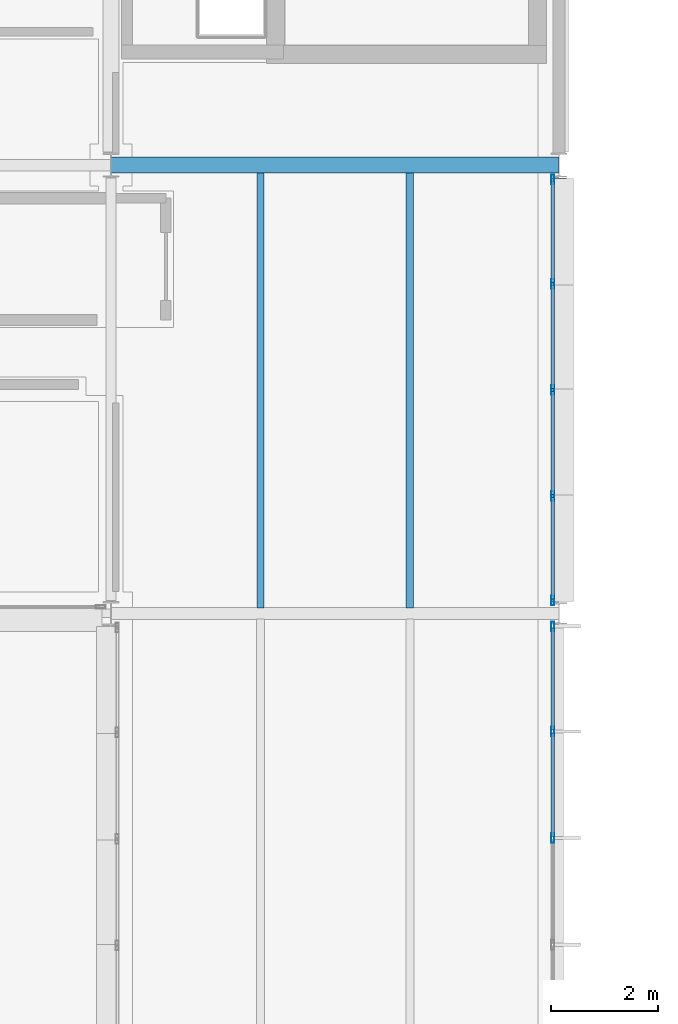
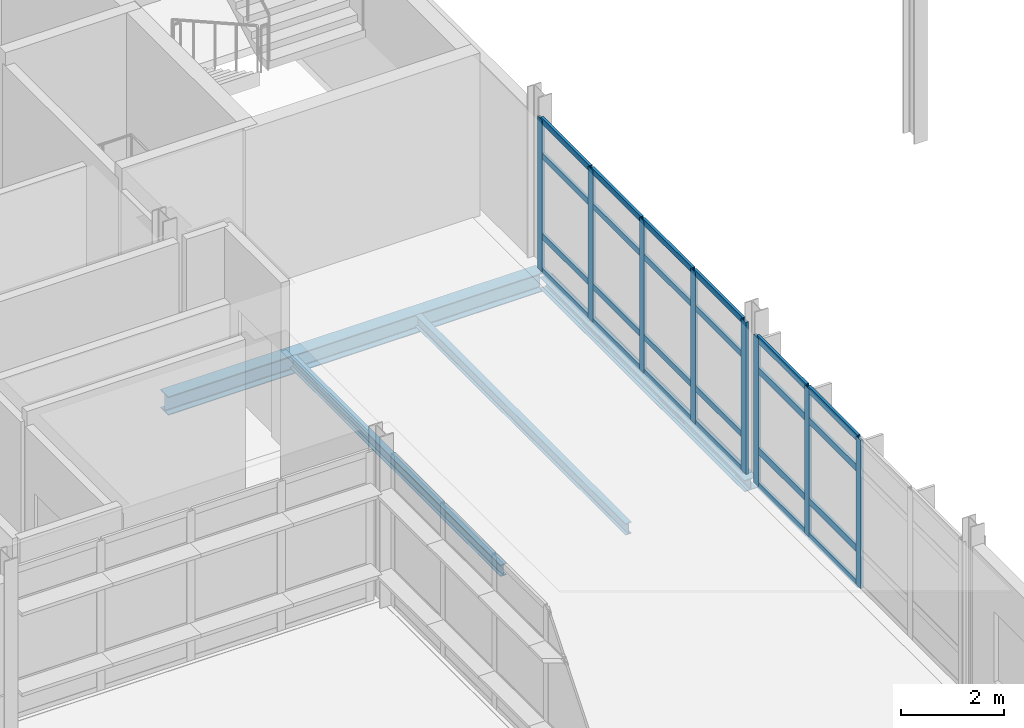
# One storey, part 72 of 103: 32 members, 4 beams, 2 elements without a shape of their own.
"""IFC4 building model written with IfcOpenShell, lengths in metres."""

from ifc_helpers import new_model, si_unit, direction, frame, origin, origin_2d, place, context, subcontext, project, spatial, hollow_rectangle, i_section, extrude, material, material_profile, profile_set, type_object, element, aggregate, save


model = new_model("IFC4")

# Units and contexts
model_context = context("Model", 3, precision=1e-05, world=origin(), true_north=direction((0.0, 1.0)))
body_context = subcontext(model_context, "Body", "Model", "MODEL_VIEW")
ifc_project = project(units=[si_unit("LENGTHUNIT", "METRE"), si_unit("AREAUNIT", "SQUARE_METRE"), si_unit("VOLUMEUNIT", "CUBIC_METRE"), si_unit("PLANEANGLEUNIT", "RADIAN"), si_unit("MASSUNIT", "GRAM", prefix="KILO")], contexts=[model_context])

# Site, building, storey
site_placement = place(None, origin())
site = spatial("IfcSite", under=ifc_project, at=site_placement, CompositionType="ELEMENT")
building_placement = place(site_placement, origin())
building = spatial("IfcBuilding", under=site, at=building_placement, Name="Mersafa Astral City Hall", CompositionType="ELEMENT")
storey_placement = place(building_placement, frame((0.0, 0.0, 18.0)))
storey = spatial("IfcBuildingStorey", under=building, at=storey_placement, Name="L04", CompositionType="ELEMENT", Elevation=18.0)

# Curtain wall, members
ifc_material_1 = material(Name="Anodised bronze aluminium framing", Category="aluminium")
curtain_wall_type_1 = type_object("IfcCurtainWallType", Name="ENV-CW-1", PredefinedType="USERDEFINED", material=ifc_material_1)
curtain_wall_1_placement = place(storey_placement, origin())
curtain_wall_1 = element("IfcCurtainWall", 1, at=curtain_wall_1_placement, inside=storey, type_object=curtain_wall_type_1, Name="L04 Unitised solar curtain wall 192", ObjectType="UNITISED CURTAIN WALL", PredefinedType="USERDEFINED")
ifc_material_profile_1 = material_profile(ifc_material_1, hollow_rectangle(XDim=0.06005859375, YDim=0.179931640625, WallThickness=0.00390625, at=origin_2d()), Name="RHS 60x180x4")
ifc_profile_set_1 = profile_set([ifc_material_profile_1], Name="Anodised bronze aluminium framing")
member_type_1 = type_object("IfcMemberType", Name="ENV-CW-MUL-1", PredefinedType="MULLION", material=ifc_profile_set_1)
member_1_placement = place(storey_placement, frame((176.280029296875, 96.590087890625, -0.001953125), z_axis=(0.0, 0.0, 1.0), x_axis=(-1.0, 0.0, 0.0)))
member_1 = element("IfcMember", 2, at=member_1_placement, type_object=member_type_1, Name="CW-1 mullion 3", PredefinedType="MULLION", context=body_context, shape_type="SweptSolid", body=[
    extrude(hollow_rectangle(XDim=0.06005859375, YDim=0.179931640625, WallThickness=0.00390625, at=origin_2d()), origin(), (0.0, 0.0, 1.0), 3.509033203125),
])
member_2_placement = place(storey_placement, frame((176.280029296875, 98.589111328125, -0.001953125), z_axis=(0.0, 0.0, 1.0), x_axis=(-1.0, 0.0, 0.0)))
member_2 = element("IfcMember", 3, at=member_2_placement, type_object=member_type_1, Name="CW-1 mullion 4", PredefinedType="MULLION", context=body_context, shape_type="SweptSolid", body=[
    extrude(hollow_rectangle(XDim=0.06005859375, YDim=0.179931640625, WallThickness=0.00390625, at=origin_2d()), origin(), (0.0, 0.0, 1.0), 3.509033203125),
])
member_3_placement = place(storey_placement, frame((176.280029296875, 100.55810546875, -0.001953125), z_axis=(0.0, 0.0, 1.0), x_axis=(-1.0, 0.0, 0.0)))
member_3 = element("IfcMember", 4, at=member_3_placement, type_object=member_type_1, Name="CW-1 mullion 5", PredefinedType="MULLION", context=body_context, shape_type="SweptSolid", body=[
    extrude(hollow_rectangle(XDim=0.06005859375, YDim=0.179931640625, WallThickness=0.00390625, at=origin_2d()), origin(), (0.0, 0.0, 1.0), 3.509033203125),
])

curtain_wall_type_2 = type_object("IfcCurtainWallType", Name="ENV-CW-2", PredefinedType="USERDEFINED", material=ifc_material_1)
curtain_wall_2_placement = place(storey_placement, origin())
curtain_wall_2 = element("IfcCurtainWall", 5, at=curtain_wall_2_placement, inside=storey, type_object=curtain_wall_type_2, Name="L04 Unitised solar curtain wall 193", ObjectType="UNITISED CURTAIN WALL", PredefinedType="USERDEFINED")
member_4_placement = place(storey_placement, frame((176.280029296875, 101.0419921875, -0.001953125), z_axis=(0.0, 0.0, 1.0), x_axis=(-1.0, 0.0, 0.0)))
member_4 = element("IfcMember", 6, at=member_4_placement, type_object=member_type_1, Name="CW-2 mullion 1", PredefinedType="MULLION", context=body_context, shape_type="SweptSolid", body=[
    extrude(hollow_rectangle(XDim=0.06005859375, YDim=0.179931640625, WallThickness=0.00390625, at=origin_2d()), origin(), (0.0, 0.0, 1.0), 3.598876953125),
])
member_5_placement = place(storey_placement, frame((176.280029296875, 102.999755859375, -0.001953125), z_axis=(0.0, 0.0, 1.0), x_axis=(-1.0, 0.0, 0.0)))
member_5 = element("IfcMember", 7, at=member_5_placement, type_object=member_type_1, Name="CW-2 mullion 2", PredefinedType="MULLION", context=body_context, shape_type="SweptSolid", body=[
    extrude(hollow_rectangle(XDim=0.06005859375, YDim=0.179931640625, WallThickness=0.00390625, at=origin_2d()), origin(), (0.0, 0.0, 1.0), 3.598876953125),
])
member_6_placement = place(storey_placement, frame((176.280029296875, 104.987548828125, -0.001953125), z_axis=(0.0, 0.0, 1.0), x_axis=(-1.0, 0.0, 0.0)))
member_6 = element("IfcMember", 8, at=member_6_placement, type_object=member_type_1, Name="CW-2 mullion 3", PredefinedType="MULLION", context=body_context, shape_type="SweptSolid", body=[
    extrude(hollow_rectangle(XDim=0.06005859375, YDim=0.179931640625, WallThickness=0.00390625, at=origin_2d()), origin(), (0.0, 0.0, 1.0), 3.598876953125),
])
member_7_placement = place(storey_placement, frame((176.280029296875, 106.975341796875, -0.001953125), z_axis=(0.0, 0.0, 1.0), x_axis=(-1.0, 0.0, 0.0)))
member_7 = element("IfcMember", 9, at=member_7_placement, type_object=member_type_1, Name="CW-2 mullion 4", PredefinedType="MULLION", context=body_context, shape_type="SweptSolid", body=[
    extrude(hollow_rectangle(XDim=0.06005859375, YDim=0.179931640625, WallThickness=0.00390625, at=origin_2d()), origin(), (0.0, 0.0, 1.0), 3.598876953125),
])
member_8_placement = place(storey_placement, frame((176.280029296875, 108.93310546875, -0.001953125), z_axis=(0.0, 0.0, 1.0), x_axis=(-1.0, 0.0, 0.0)))
member_8 = element("IfcMember", 10, at=member_8_placement, type_object=member_type_1, Name="CW-2 mullion 5", PredefinedType="MULLION", context=body_context, shape_type="SweptSolid", body=[
    extrude(hollow_rectangle(XDim=0.06005859375, YDim=0.179931640625, WallThickness=0.00390625, at=origin_2d()), origin(), (0.0, 0.0, 1.0), 3.598876953125),
])
ifc_material_profile_2 = material_profile(ifc_material_1, hollow_rectangle(XDim=0.06005859375, YDim=0.139892578125, WallThickness=0.00390625, at=origin_2d()), Name="RHS 60x140x4")
ifc_profile_set_2 = profile_set([ifc_material_profile_2], Name="Anodised bronze aluminium framing")
member_type_2 = type_object("IfcMemberType", Name="ENV-CW-TRN-1", PredefinedType="USERDEFINED", material=ifc_profile_set_2)
member_9_placement = place(storey_placement, frame((176.280029296875, 101.072021484375, 0.028076171875), z_axis=(0.0, 1.0, 0.0), x_axis=(-1.0, 0.0, 0.0)))
member_9 = element("IfcMember", 11, at=member_9_placement, type_object=member_type_2, Name="CW-2 transom 1.1", ObjectType="TRANSOM", PredefinedType="USERDEFINED", context=body_context, shape_type="SweptSolid", body=[
    extrude(hollow_rectangle(XDim=0.06005859375, YDim=0.139892578125, WallThickness=0.00390625, at=origin_2d()), origin(), (0.0, 0.0, 1.0), 1.897705078125),
])
member_10_placement = place(storey_placement, frame((176.280029296875, 101.072021484375, 0.85009765625), z_axis=(0.0, 1.0, 0.0), x_axis=(-1.0, 0.0, 0.0)))
member_10 = element("IfcMember", 12, at=member_10_placement, type_object=member_type_2, Name="CW-2 transom 1.2", ObjectType="TRANSOM", PredefinedType="USERDEFINED", context=body_context, shape_type="SweptSolid", body=[
    extrude(hollow_rectangle(XDim=0.06005859375, YDim=0.139892578125, WallThickness=0.00390625, at=origin_2d()), origin(), (0.0, 0.0, 1.0), 1.897705078125),
])
member_11_placement = place(storey_placement, frame((176.280029296875, 101.072021484375, 2.75), z_axis=(0.0, 1.0, 0.0), x_axis=(-1.0, 0.0, 0.0)))
member_11 = element("IfcMember", 13, at=member_11_placement, type_object=member_type_2, Name="CW-2 transom 1.3", ObjectType="TRANSOM", PredefinedType="USERDEFINED", context=body_context, shape_type="SweptSolid", body=[
    extrude(hollow_rectangle(XDim=0.06005859375, YDim=0.139892578125, WallThickness=0.00390625, at=origin_2d()), origin(), (0.0, 0.0, 1.0), 1.897705078125),
])
member_12_placement = place(storey_placement, frame((176.280029296875, 101.072021484375, 3.56689453125), z_axis=(0.0, 1.0, 0.0), x_axis=(-1.0, 0.0, 0.0)))
member_12 = element("IfcMember", 14, at=member_12_placement, type_object=member_type_2, Name="CW-2 transom 1.4", ObjectType="TRANSOM", PredefinedType="USERDEFINED", context=body_context, shape_type="SweptSolid", body=[
    extrude(hollow_rectangle(XDim=0.06005859375, YDim=0.139892578125, WallThickness=0.00390625, at=origin_2d()), origin(), (0.0, 0.0, 1.0), 1.897705078125),
])
member_13_placement = place(storey_placement, frame((176.280029296875, 103.02978515625, 0.028076171875), z_axis=(0.0, 1.0, 0.0), x_axis=(-1.0, 0.0, 0.0)))
member_13 = element("IfcMember", 15, at=member_13_placement, type_object=member_type_2, Name="CW-2 transom 2.1", ObjectType="TRANSOM", PredefinedType="USERDEFINED", context=body_context, shape_type="SweptSolid", body=[
    extrude(hollow_rectangle(XDim=0.06005859375, YDim=0.139892578125, WallThickness=0.00390625, at=origin_2d()), origin(), (0.0, 0.0, 1.0), 1.927734375),
])
member_14_placement = place(storey_placement, frame((176.280029296875, 103.02978515625, 0.85009765625), z_axis=(0.0, 1.0, 0.0), x_axis=(-1.0, 0.0, 0.0)))
member_14 = element("IfcMember", 16, at=member_14_placement, type_object=member_type_2, Name="CW-2 transom 2.2", ObjectType="TRANSOM", PredefinedType="USERDEFINED", context=body_context, shape_type="SweptSolid", body=[
    extrude(hollow_rectangle(XDim=0.06005859375, YDim=0.139892578125, WallThickness=0.00390625, at=origin_2d()), origin(), (0.0, 0.0, 1.0), 1.927734375),
])
member_15_placement = place(storey_placement, frame((176.280029296875, 103.02978515625, 2.75), z_axis=(0.0, 1.0, 0.0), x_axis=(-1.0, 0.0, 0.0)))
member_15 = element("IfcMember", 17, at=member_15_placement, type_object=member_type_2, Name="CW-2 transom 2.3", ObjectType="TRANSOM", PredefinedType="USERDEFINED", context=body_context, shape_type="SweptSolid", body=[
    extrude(hollow_rectangle(XDim=0.06005859375, YDim=0.139892578125, WallThickness=0.00390625, at=origin_2d()), origin(), (0.0, 0.0, 1.0), 1.927734375),
])
member_16_placement = place(storey_placement, frame((176.280029296875, 103.02978515625, 3.56689453125), z_axis=(0.0, 1.0, 0.0), x_axis=(-1.0, 0.0, 0.0)))
member_16 = element("IfcMember", 18, at=member_16_placement, type_object=member_type_2, Name="CW-2 transom 2.4", ObjectType="TRANSOM", PredefinedType="USERDEFINED", context=body_context, shape_type="SweptSolid", body=[
    extrude(hollow_rectangle(XDim=0.06005859375, YDim=0.139892578125, WallThickness=0.00390625, at=origin_2d()), origin(), (0.0, 0.0, 1.0), 1.927734375),
])
member_17_placement = place(storey_placement, frame((176.280029296875, 105.017578125, 0.028076171875), z_axis=(0.0, 1.0, 0.0), x_axis=(-1.0, 0.0, 0.0)))
member_17 = element("IfcMember", 19, at=member_17_placement, type_object=member_type_2, Name="CW-2 transom 3.1", ObjectType="TRANSOM", PredefinedType="USERDEFINED", context=body_context, shape_type="SweptSolid", body=[
    extrude(hollow_rectangle(XDim=0.06005859375, YDim=0.139892578125, WallThickness=0.00390625, at=origin_2d()), origin(), (0.0, 0.0, 1.0), 1.927734375),
])
member_18_placement = place(storey_placement, frame((176.280029296875, 105.017578125, 0.85009765625), z_axis=(0.0, 1.0, 0.0), x_axis=(-1.0, 0.0, 0.0)))
member_18 = element("IfcMember", 20, at=member_18_placement, type_object=member_type_2, Name="CW-2 transom 3.2", ObjectType="TRANSOM", PredefinedType="USERDEFINED", context=body_context, shape_type="SweptSolid", body=[
    extrude(hollow_rectangle(XDim=0.06005859375, YDim=0.139892578125, WallThickness=0.00390625, at=origin_2d()), origin(), (0.0, 0.0, 1.0), 1.927734375),
])
member_19_placement = place(storey_placement, frame((176.280029296875, 105.017578125, 2.75), z_axis=(0.0, 1.0, 0.0), x_axis=(-1.0, 0.0, 0.0)))
member_19 = element("IfcMember", 21, at=member_19_placement, type_object=member_type_2, Name="CW-2 transom 3.3", ObjectType="TRANSOM", PredefinedType="USERDEFINED", context=body_context, shape_type="SweptSolid", body=[
    extrude(hollow_rectangle(XDim=0.06005859375, YDim=0.139892578125, WallThickness=0.00390625, at=origin_2d()), origin(), (0.0, 0.0, 1.0), 1.927734375),
])
member_20_placement = place(storey_placement, frame((176.280029296875, 105.017578125, 3.56689453125), z_axis=(0.0, 1.0, 0.0), x_axis=(-1.0, 0.0, 0.0)))
member_20 = element("IfcMember", 22, at=member_20_placement, type_object=member_type_2, Name="CW-2 transom 3.4", ObjectType="TRANSOM", PredefinedType="USERDEFINED", context=body_context, shape_type="SweptSolid", body=[
    extrude(hollow_rectangle(XDim=0.06005859375, YDim=0.139892578125, WallThickness=0.00390625, at=origin_2d()), origin(), (0.0, 0.0, 1.0), 1.927734375),
])
member_21_placement = place(storey_placement, frame((176.280029296875, 107.00537109375, 0.028076171875), z_axis=(0.0, 1.0, 0.0), x_axis=(-1.0, 0.0, 0.0)))
member_21 = element("IfcMember", 23, at=member_21_placement, type_object=member_type_2, Name="CW-2 transom 4.1", ObjectType="TRANSOM", PredefinedType="USERDEFINED", context=body_context, shape_type="SweptSolid", body=[
    extrude(hollow_rectangle(XDim=0.06005859375, YDim=0.139892578125, WallThickness=0.00390625, at=origin_2d()), origin(), (0.0, 0.0, 1.0), 1.897705078125),
])
member_22_placement = place(storey_placement, frame((176.280029296875, 107.00537109375, 0.85009765625), z_axis=(0.0, 1.0, 0.0), x_axis=(-1.0, 0.0, 0.0)))
member_22 = element("IfcMember", 24, at=member_22_placement, type_object=member_type_2, Name="CW-2 transom 4.2", ObjectType="TRANSOM", PredefinedType="USERDEFINED", context=body_context, shape_type="SweptSolid", body=[
    extrude(hollow_rectangle(XDim=0.06005859375, YDim=0.139892578125, WallThickness=0.00390625, at=origin_2d()), origin(), (0.0, 0.0, 1.0), 1.897705078125),
])
member_23_placement = place(storey_placement, frame((176.280029296875, 107.00537109375, 2.75), z_axis=(0.0, 1.0, 0.0), x_axis=(-1.0, 0.0, 0.0)))
member_23 = element("IfcMember", 25, at=member_23_placement, type_object=member_type_2, Name="CW-2 transom 4.3", ObjectType="TRANSOM", PredefinedType="USERDEFINED", context=body_context, shape_type="SweptSolid", body=[
    extrude(hollow_rectangle(XDim=0.06005859375, YDim=0.139892578125, WallThickness=0.00390625, at=origin_2d()), origin(), (0.0, 0.0, 1.0), 1.897705078125),
])
member_24_placement = place(storey_placement, frame((176.280029296875, 107.00537109375, 3.56689453125), z_axis=(0.0, 1.0, 0.0), x_axis=(-1.0, 0.0, 0.0)))
member_24 = element("IfcMember", 26, at=member_24_placement, type_object=member_type_2, Name="CW-2 transom 4.4", ObjectType="TRANSOM", PredefinedType="USERDEFINED", context=body_context, shape_type="SweptSolid", body=[
    extrude(hollow_rectangle(XDim=0.06005859375, YDim=0.139892578125, WallThickness=0.00390625, at=origin_2d()), origin(), (0.0, 0.0, 1.0), 1.897705078125),
])
aggregate(curtain_wall_2, [member_4, member_5, member_6, member_7, member_8, member_9, member_10, member_11, member_12, member_13, member_14, member_15, member_16, member_17, member_18, member_19, member_20, member_21, member_22, member_23, member_24])

# Member
ifc_material_profile_3 = material_profile(ifc_material_1, hollow_rectangle(XDim=0.06005859375, YDim=0.159912109375, WallThickness=0.00390625, at=origin_2d()), Name="RHS 60x160x4")
ifc_profile_set_3 = profile_set([ifc_material_profile_3], Name="Anodised bronze aluminium framing")
member_type_3 = type_object("IfcMemberType", Name="ENV-CW-TRN-2", PredefinedType="USERDEFINED", material=ifc_profile_set_3)
member_25_placement = place(storey_placement, frame((176.280029296875, 96.6201171875, 0.028076171875), z_axis=(0.0, 1.0, 0.0), x_axis=(-1.0, 0.0, 0.0)))
member_25 = element("IfcMember", 27, at=member_25_placement, type_object=member_type_3, Name="CW-1 transom 3.1", ObjectType="TRANSOM", PredefinedType="USERDEFINED", context=body_context, shape_type="SweptSolid", body=[
    extrude(hollow_rectangle(XDim=0.06005859375, YDim=0.159912109375, WallThickness=0.00390625, at=origin_2d()), origin(), (0.0, 0.0, 1.0), 1.93896484375),
])

member_26_placement = place(storey_placement, frame((176.280029296875, 96.6201171875, 0.85009765625), z_axis=(0.0, 1.0, 0.0), x_axis=(-1.0, 0.0, 0.0)))
member_26 = element("IfcMember", 28, at=member_26_placement, type_object=member_type_3, Name="CW-1 transom 3.2", ObjectType="TRANSOM", PredefinedType="USERDEFINED", context=body_context, shape_type="SweptSolid", body=[
    extrude(hollow_rectangle(XDim=0.06005859375, YDim=0.159912109375, WallThickness=0.00390625, at=origin_2d()), origin(), (0.0, 0.0, 1.0), 1.93896484375),
])

member_27_placement = place(storey_placement, frame((176.280029296875, 96.6201171875, 2.75), z_axis=(0.0, 1.0, 0.0), x_axis=(-1.0, 0.0, 0.0)))
member_27 = element("IfcMember", 29, at=member_27_placement, type_object=member_type_3, Name="CW-1 transom 3.3", ObjectType="TRANSOM", PredefinedType="USERDEFINED", context=body_context, shape_type="SweptSolid", body=[
    extrude(hollow_rectangle(XDim=0.06005859375, YDim=0.159912109375, WallThickness=0.00390625, at=origin_2d()), origin(), (0.0, 0.0, 1.0), 1.93896484375),
])

member_28_placement = place(storey_placement, frame((176.280029296875, 96.6201171875, 3.47705078125), z_axis=(0.0, 1.0, 0.0), x_axis=(-1.0, 0.0, 0.0)))
member_28 = element("IfcMember", 30, at=member_28_placement, type_object=member_type_3, Name="CW-1 transom 3.4", ObjectType="TRANSOM", PredefinedType="USERDEFINED", context=body_context, shape_type="SweptSolid", body=[
    extrude(hollow_rectangle(XDim=0.06005859375, YDim=0.159912109375, WallThickness=0.00390625, at=origin_2d()), origin(), (0.0, 0.0, 1.0), 1.93896484375),
])

member_29_placement = place(storey_placement, frame((176.280029296875, 98.618896484375, 0.028076171875), z_axis=(0.0, 1.0, 0.0), x_axis=(-1.0, 0.0, 0.0)))
member_29 = element("IfcMember", 31, at=member_29_placement, type_object=member_type_3, Name="CW-1 transom 4.1", ObjectType="TRANSOM", PredefinedType="USERDEFINED", context=body_context, shape_type="SweptSolid", body=[
    extrude(hollow_rectangle(XDim=0.06005859375, YDim=0.159912109375, WallThickness=0.00390625, at=origin_2d()), origin(), (0.0, 0.0, 1.0), 1.9091796875),
])

member_30_placement = place(storey_placement, frame((176.280029296875, 98.618896484375, 0.85009765625), z_axis=(0.0, 1.0, 0.0), x_axis=(-1.0, 0.0, 0.0)))
member_30 = element("IfcMember", 32, at=member_30_placement, type_object=member_type_3, Name="CW-1 transom 4.2", ObjectType="TRANSOM", PredefinedType="USERDEFINED", context=body_context, shape_type="SweptSolid", body=[
    extrude(hollow_rectangle(XDim=0.06005859375, YDim=0.159912109375, WallThickness=0.00390625, at=origin_2d()), origin(), (0.0, 0.0, 1.0), 1.9091796875),
])

member_31_placement = place(storey_placement, frame((176.280029296875, 98.618896484375, 2.75), z_axis=(0.0, 1.0, 0.0), x_axis=(-1.0, 0.0, 0.0)))
member_31 = element("IfcMember", 33, at=member_31_placement, type_object=member_type_3, Name="CW-1 transom 4.3", ObjectType="TRANSOM", PredefinedType="USERDEFINED", context=body_context, shape_type="SweptSolid", body=[
    extrude(hollow_rectangle(XDim=0.06005859375, YDim=0.159912109375, WallThickness=0.00390625, at=origin_2d()), origin(), (0.0, 0.0, 1.0), 1.9091796875),
])

member_32_placement = place(storey_placement, frame((176.280029296875, 98.618896484375, 3.47705078125), z_axis=(0.0, 1.0, 0.0), x_axis=(-1.0, 0.0, 0.0)))
member_32 = element("IfcMember", 34, at=member_32_placement, type_object=member_type_3, Name="CW-1 transom 4.4", ObjectType="TRANSOM", PredefinedType="USERDEFINED", context=body_context, shape_type="SweptSolid", body=[
    extrude(hollow_rectangle(XDim=0.06005859375, YDim=0.159912109375, WallThickness=0.00390625, at=origin_2d()), origin(), (0.0, 0.0, 1.0), 1.9091796875),
])

aggregate(curtain_wall_1, [member_1, member_2, member_3, member_25, member_26, member_27, member_28, member_29, member_30, member_31, member_32])

# Beams
ifc_material_2 = material(Name="Steel S355", Category="steel")
ifc_material_profile_4 = material_profile(ifc_material_2, i_section(OverallWidth=0.300048828125, OverallDepth=0.43994140625, WebThickness=0.011474609375, FlangeThickness=0.02099609375, FilletRadius=0.027099609375, at=origin_2d()), Name="HEA 450")
ifc_profile_set_4 = profile_set([ifc_material_profile_4], Name="Steel S355")
beam_type_1 = type_object("IfcBeamType", Name="STR-BM-HEA450", PredefinedType="BEAM", material=ifc_profile_set_4)
beam_1_placement = place(storey_placement, frame((168.0029296875, 109.199951171875, -0.405029296875), z_axis=(1.0, 0.0, 0.0), x_axis=(0.0, 1.0, 0.0)))
element("IfcBeam", 35, at=beam_1_placement, inside=storey, type_object=beam_type_1, Name="L04 Primary girder X 20-13", PredefinedType="BEAM", context=body_context, shape_type="SweptSolid", body=[
    extrude(i_section(OverallWidth=0.300048828125, OverallDepth=0.43994140625, WebThickness=0.011474609375, FlangeThickness=0.02099609375, FilletRadius=0.027099609375, at=origin_2d()), origin(), (0.0, 0.0, 1.0), 8.39404296875),
])
ifc_material_profile_5 = material_profile(ifc_material_2, i_section(OverallWidth=0.135009765625, OverallDepth=0.27001953125, WebThickness=0.006591796875, FlangeThickness=0.01025390625, FilletRadius=0.014892578125, at=origin_2d()), Name="IPE 270")
ifc_profile_set_5 = profile_set([ifc_material_profile_5], Name="Steel S355")
beam_type_2 = type_object("IfcBeamType", Name="STR-BM-JOIST-IPE270", PredefinedType="JOIST", material=ifc_profile_set_5)
for number, where, z_axis, x_axis, name in (
    (36, (170.800048828125, 100.905029296875, -0.320068359375), (0.0, 1.0, 0.0), (-1.0, 0.0, 0.0), "L04 Composite secondary floor joist 783"),
    (37, (173.60009765625, 100.905029296875, -0.320068359375), (0.0, 1.0, 0.0), (-1.0, 0.0, 0.0), "L04 Composite secondary floor joist 784"),
):
    element("IfcBeam", number, at=place(storey_placement, frame(where, z_axis=z_axis, x_axis=x_axis)), inside=storey, type_object=beam_type_2, Name=name, PredefinedType="JOIST", context=body_context, shape_type="SweptSolid", body=[
        extrude(i_section(OverallWidth=0.135009765625, OverallDepth=0.27001953125, WebThickness=0.006591796875, FlangeThickness=0.01025390625, FilletRadius=0.014892578125, at=origin_2d()), origin(), (0.0, 0.0, 1.0), 8.14990234375),
    ])
ifc_material_profile_6 = material_profile(ifc_material_2, i_section(OverallWidth=0.280029296875, OverallDepth=0.27001953125, WebThickness=0.008056640625, FlangeThickness=0.012939453125, FilletRadius=0.02392578125, at=origin_2d()), Name="HEA 280")
ifc_profile_set_6 = profile_set([ifc_material_profile_6], Name="Steel S355")
beam_type_3 = type_object("IfcBeamType", Name="STR-BM-SPANDREL-HEA280", PredefinedType="SPANDREL", material=ifc_profile_set_6)
beam_2_placement = place(storey_placement, frame((176.39990234375, 101.02001953125, -0.320068359375), z_axis=(0.0, 1.0, 0.0), x_axis=(-1.0, 0.0, 0.0)))
element("IfcBeam", 38, at=beam_2_placement, inside=storey, type_object=beam_type_3, Name="L04 Primary girder Y 21-12", PredefinedType="SPANDREL", context=body_context, shape_type="SweptSolid", body=[
    extrude(i_section(OverallWidth=0.280029296875, OverallDepth=0.27001953125, WebThickness=0.008056640625, FlangeThickness=0.012939453125, FilletRadius=0.02392578125, at=origin_2d()), origin(), (0.0, 0.0, 1.0), 7.93505859375),
])

save(model, "model.ifc")
